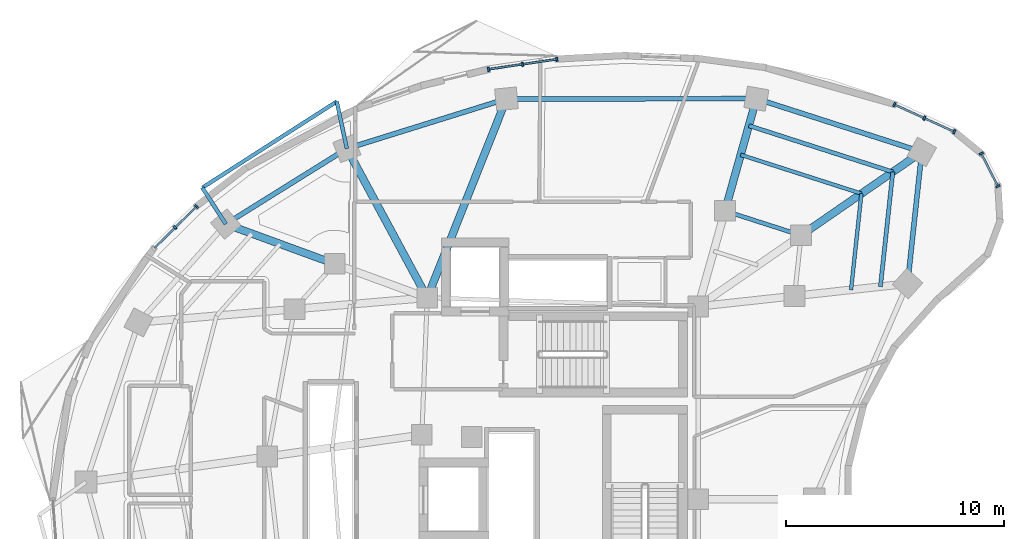
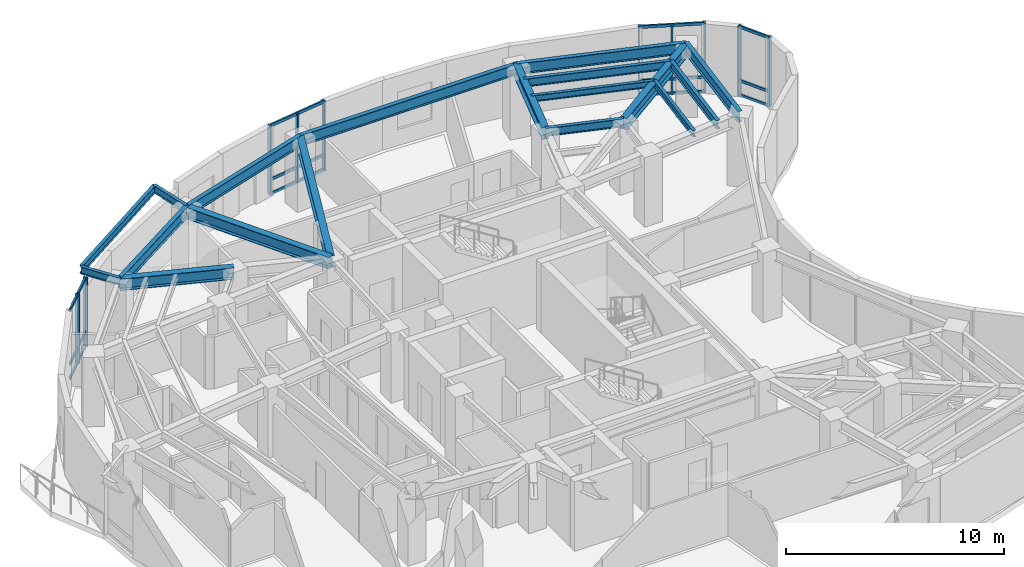
# One storey, part 5 of 13: 31 members, 18 beams, 4 elements without a shape of their own.
"""IFC4 building model written with IfcOpenShell, lengths in metres."""

from ifc_helpers import new_model, si_unit, direction, frame, origin, origin_2d, place, context, subcontext, project, spatial, rectangle, i_section, extrude, material, layer, layer_set, material_profile, profile_set, type_object, element, aggregate, save


model = new_model("IFC4")

# Units and contexts
model_context = context("Model", 3, precision=1e-05, world=origin(), true_north=direction((0.0, 1.0)))
body_context = subcontext(model_context, "Body", "Model", "MODEL_VIEW")
ifc_project = project(units=[si_unit("LENGTHUNIT", "METRE"), si_unit("AREAUNIT", "SQUARE_METRE"), si_unit("VOLUMEUNIT", "CUBIC_METRE"), si_unit("PLANEANGLEUNIT", "RADIAN"), si_unit("MASSUNIT", "GRAM", prefix="KILO")], contexts=[model_context])

# Site, building, storey
site_placement = place(None, origin())
site = spatial("IfcSite", under=ifc_project, at=site_placement, CompositionType="ELEMENT")
building_placement = place(site_placement, origin())
building = spatial("IfcBuilding", under=site, at=building_placement, Name="Korentha Bioscience Tower", CompositionType="ELEMENT")
storey_placement = place(building_placement, frame((0.0, 0.0, 187.800048828125)))
storey = spatial("IfcBuildingStorey", under=building, at=storey_placement, Name="L43", CompositionType="ELEMENT", Elevation=187.800048828125)

# Beam
ifc_material_1 = material(Name="Steel S355", Category="steel")
ifc_material_profile_1 = material_profile(ifc_material_1, i_section(OverallWidth=0.18994140625, OverallDepth=0.45703125, WebThickness=0.009033203125, FlangeThickness=0.014404296875, at=origin_2d()), Name="Steel S355")
ifc_profile_set_1 = profile_set([ifc_material_profile_1], Name="Steel S355 (MB-460)")
beam_type_1 = type_object("IfcBeamType", Name="Mid-Ring Tie Girder W460x74", PredefinedType="BEAM", material=ifc_profile_set_1)
beam_1_placement = place(storey_placement, frame((42.274658203125, 39.1171875, 3.67138671875), z_axis=(-0.952000195343, 0.306097415976, 0.0), x_axis=(-0.306097415976, -0.952000195343, 0.0)))
element("IfcBeam", 1, at=beam_1_placement, inside=storey, type_object=beam_type_1, Name="L43 Mid-Ring Tie Girder 01", PredefinedType="BEAM", context=body_context, shape_type="SweptSolid", body=[
    extrude(i_section(OverallWidth=0.18994140625, OverallDepth=0.45703125, WebThickness=0.009033203125, FlangeThickness=0.014404296875, at=origin_2d()), origin(), (0.0, 0.0, 1.0), 3.672119140625),
])

# Curtain wall, members
ifc_material_2 = material(Name="Thermally Broken Aluminium Frame", Category="aluminium")
ifc_layer = layer(ifc_material_2, 0.219970703125, Name="Thermally Broken Aluminium Frame")
ifc_layer_set = layer_set([ifc_layer], Name="Thermally Broken Aluminium Frame (CW-T1)")
curtain_wall_type = type_object("IfcCurtainWallType", Name="Standard Bioscience Lab Unitised Curtain Wall CW-T1", PredefinedType="USERDEFINED", material=ifc_layer_set)
curtain_wall_1_placement = place(storey_placement, origin())
curtain_wall_1 = element("IfcCurtainWall", 2, at=curtain_wall_1_placement, inside=storey, type_object=curtain_wall_type, Name="L43 Curtain Wall 01", ObjectType="UNITISED", PredefinedType="USERDEFINED")
ifc_material_3 = material(Name="Anodised Aluminium 6063-T6", Category="aluminium")
ifc_material_profile_2 = material_profile(ifc_material_3, rectangle(XDim=0.090087890625, YDim=0.199951171875, at=origin_2d()), Name="Anodised Aluminium 6063-T6")
ifc_profile_set_2 = profile_set([ifc_material_profile_2], Name="Anodised Aluminium 6063-T6 (CW-MUL)")
member_type_1 = type_object("IfcMemberType", Name="Mullion RECT 90x200", PredefinedType="MULLION", material=ifc_profile_set_2)
member_1_placement = place(storey_placement, frame((49.314453125, 43.878173828125, 0.0), z_axis=(0.0, 0.0, 1.0), x_axis=(-0.910644398392, 0.413190972406, 0.0)))
member_1 = element("IfcMember", 3, at=member_1_placement, type_object=member_type_1, Name="CW-L43-01 Mullion 1", PredefinedType="MULLION", context=body_context, shape_type="SweptSolid", body=[
    extrude(rectangle(XDim=0.090087890625, YDim=0.199951171875, at=origin_2d()), origin(), (0.0, 0.0, 1.0), 3.89990234375),
])
member_2_placement = place(storey_placement, frame((47.93701171875, 44.503173828125, 0.0), z_axis=(0.0, 0.0, 1.0), x_axis=(-0.910644398392, 0.413190972406, 0.0)))
member_2 = element("IfcMember", 4, at=member_2_placement, type_object=member_type_1, Name="CW-L43-01 Mullion 2", PredefinedType="MULLION", context=body_context, shape_type="SweptSolid", body=[
    extrude(rectangle(XDim=0.090087890625, YDim=0.199951171875, at=origin_2d()), origin(), (0.0, 0.0, 1.0), 3.89990234375),
])
member_3_placement = place(storey_placement, frame((46.5595703125, 45.128173828125, 0.0), z_axis=(0.0, 0.0, 1.0), x_axis=(-0.910644398392, 0.413190972406, 0.0)))
member_3 = element("IfcMember", 5, at=member_3_placement, type_object=member_type_1, Name="CW-L43-01 Mullion 3", PredefinedType="MULLION", context=body_context, shape_type="SweptSolid", body=[
    extrude(rectangle(XDim=0.090087890625, YDim=0.199951171875, at=origin_2d()), origin(), (0.0, 0.0, 1.0), 3.89990234375),
])

curtain_wall_2_placement = place(storey_placement, origin())
curtain_wall_2 = element("IfcCurtainWall", 6, at=curtain_wall_2_placement, inside=storey, type_object=curtain_wall_type, Name="L43 Curtain Wall 07", ObjectType="UNITISED", PredefinedType="USERDEFINED")
member_4_placement = place(storey_placement, frame((31.056640625, 47.205078125, 0.0), z_axis=(0.0, 0.0, 1.0), x_axis=(-0.989461919888, -0.144793332342, 0.0)))
member_4 = element("IfcMember", 7, at=member_4_placement, type_object=member_type_1, Name="CW-L43-07 Mullion 1", PredefinedType="MULLION", context=body_context, shape_type="SweptSolid", body=[
    extrude(rectangle(XDim=0.090087890625, YDim=0.199951171875, at=origin_2d()), origin(), (0.0, 0.0, 1.0), 3.89990234375),
])
member_5_placement = place(storey_placement, frame((29.485107421875, 46.97509765625, 0.0), z_axis=(0.0, 0.0, 1.0), x_axis=(-0.989461919888, -0.144793332342, 0.0)))
member_5 = element("IfcMember", 8, at=member_5_placement, type_object=member_type_1, Name="CW-L43-07 Mullion 2", PredefinedType="MULLION", context=body_context, shape_type="SweptSolid", body=[
    extrude(rectangle(XDim=0.090087890625, YDim=0.199951171875, at=origin_2d()), origin(), (0.0, 0.0, 1.0), 3.89990234375),
])
member_6_placement = place(storey_placement, frame((27.913330078125, 46.7451171875, 0.0), z_axis=(0.0, 0.0, 1.0), x_axis=(-0.989461919888, -0.144793332342, 0.0)))
member_6 = element("IfcMember", 9, at=member_6_placement, type_object=member_type_1, Name="CW-L43-07 Mullion 3", PredefinedType="MULLION", context=body_context, shape_type="SweptSolid", body=[
    extrude(rectangle(XDim=0.090087890625, YDim=0.199951171875, at=origin_2d()), origin(), (0.0, 0.0, 1.0), 3.89990234375),
])

curtain_wall_3_placement = place(storey_placement, origin())
curtain_wall_3 = element("IfcCurtainWall", 10, at=curtain_wall_3_placement, inside=storey, type_object=curtain_wall_type, Name="L43 Curtain Wall 13", ObjectType="UNITISED", PredefinedType="USERDEFINED")
member_7_placement = place(storey_placement, frame((14.49951171875, 40.44287109375, 0.0), z_axis=(0.0, 0.0, 1.0), x_axis=(-0.711460557971, -0.702726030862, 0.0)))
member_7 = element("IfcMember", 11, at=member_7_placement, type_object=member_type_1, Name="CW-L43-13 Mullion 1", PredefinedType="MULLION", context=body_context, shape_type="SweptSolid", body=[
    extrude(rectangle(XDim=0.090087890625, YDim=0.199951171875, at=origin_2d()), origin(), (0.0, 0.0, 1.0), 3.89990234375),
])
member_8_placement = place(storey_placement, frame((13.517333984375, 39.472900390625, 0.0), z_axis=(0.0, 0.0, 1.0), x_axis=(-0.711460557971, -0.702726030862, 0.0)))
member_8 = element("IfcMember", 12, at=member_8_placement, type_object=member_type_1, Name="CW-L43-13 Mullion 2", PredefinedType="MULLION", context=body_context, shape_type="SweptSolid", body=[
    extrude(rectangle(XDim=0.090087890625, YDim=0.199951171875, at=origin_2d()), origin(), (0.0, 0.0, 1.0), 3.89990234375),
])

curtain_wall_4_placement = place(storey_placement, origin())
curtain_wall_4 = element("IfcCurtainWall", 13, at=curtain_wall_4_placement, inside=storey, type_object=curtain_wall_type, Name="L43 Curtain Wall 61", ObjectType="UNITISED", PredefinedType="USERDEFINED")
member_9_placement = place(storey_placement, frame((51.31884765625, 41.375732421875, 0.0), z_axis=(0.0, 0.0, 1.0), x_axis=(-0.45428845847, 0.890854643868, 0.0)))
member_9 = element("IfcMember", 14, at=member_9_placement, type_object=member_type_1, Name="CW-L43-61 Mullion 1", PredefinedType="MULLION", context=body_context, shape_type="SweptSolid", body=[
    extrude(rectangle(XDim=0.090087890625, YDim=0.199951171875, at=origin_2d()), origin(), (0.0, 0.0, 1.0), 3.89990234375),
])
member_10_placement = place(storey_placement, frame((50.5546875, 42.873779296875, 0.0), z_axis=(0.0, 0.0, 1.0), x_axis=(-0.45428845847, 0.890854643868, 0.0)))
member_10 = element("IfcMember", 15, at=member_10_placement, type_object=member_type_1, Name="CW-L43-61 Mullion 2", PredefinedType="MULLION", context=body_context, shape_type="SweptSolid", body=[
    extrude(rectangle(XDim=0.090087890625, YDim=0.199951171875, at=origin_2d()), origin(), (0.0, 0.0, 1.0), 3.89990234375),
])

# Beams
ifc_material_profile_3 = material_profile(ifc_material_1, i_section(OverallWidth=0.22802734375, OverallDepth=0.60791015625, WebThickness=0.01123046875, FlangeThickness=0.017333984375, at=origin_2d()), Name="Steel S355")
ifc_profile_set_3 = profile_set([ifc_material_profile_3], Name="Steel S355 (SB-610)")
beam_type_2 = type_object("IfcBeamType", Name="Perimeter Ring Spandrel Girder W610x113", PredefinedType="SPANDREL", material=ifc_profile_set_3)
beam_2_placement = place(storey_placement, frame((47.821044921875, 42.95263671875, 3.595947265625), z_axis=(-0.952008512555, 0.306071547228, 0.0), x_axis=(-0.306071547228, -0.952008512555, 0.0)))
element("IfcBeam", 16, at=beam_2_placement, inside=storey, type_object=beam_type_2, Name="L43 Perimeter Spandrel Girder 01", PredefinedType="SPANDREL", context=body_context, shape_type="SweptSolid", body=[
    extrude(i_section(OverallWidth=0.22802734375, OverallDepth=0.60791015625, WebThickness=0.01123046875, FlangeThickness=0.017333984375, at=origin_2d()), origin(), (0.0, 0.0, 1.0), 7.98291015625),
])
beam_3_placement = place(storey_placement, frame((40.22119140625, 45.39599609375, 3.595947265625), z_axis=(-0.99999988041, -0.000489059883, 0.0), x_axis=(0.000489059883, -0.99999988041, 0.0)))
element("IfcBeam", 17, at=beam_3_placement, inside=storey, type_object=beam_type_2, Name="L43 Perimeter Spandrel Girder 02", PredefinedType="SPANDREL", context=body_context, shape_type="SweptSolid", body=[
    extrude(i_section(OverallWidth=0.22802734375, OverallDepth=0.60791015625, WebThickness=0.01123046875, FlangeThickness=0.017333984375, at=origin_2d()), origin(), (0.0, 0.0, 1.0), 11.481689453125),
])
beam_4_placement = place(storey_placement, frame((28.739501953125, 45.390380859375, 3.595947265625), z_axis=(-0.954638172607, -0.29776829818, 0.0), x_axis=(0.29776829818, -0.954638172607, 0.0)))
element("IfcBeam", 18, at=beam_4_placement, inside=storey, type_object=beam_type_2, Name="L43 Perimeter Spandrel Girder 03", PredefinedType="SPANDREL", context=body_context, shape_type="SweptSolid", body=[
    extrude(i_section(OverallWidth=0.22802734375, OverallDepth=0.60791015625, WebThickness=0.01123046875, FlangeThickness=0.017333984375, at=origin_2d()), origin(), (0.0, 0.0, 1.0), 7.682373046875),
])
beam_5_placement = place(storey_placement, frame((21.405517578125, 43.102783203125, 3.595947265625), z_axis=(-0.848675740059, -0.528913497876, 0.0), x_axis=(0.528913497876, -0.848675740059, 0.0)))
element("IfcBeam", 19, at=beam_5_placement, inside=storey, type_object=beam_type_2, Name="L43 Perimeter Spandrel Girder 04", PredefinedType="SPANDREL", context=body_context, shape_type="SweptSolid", body=[
    extrude(i_section(OverallWidth=0.22802734375, OverallDepth=0.60791015625, WebThickness=0.01123046875, FlangeThickness=0.017333984375, at=origin_2d()), origin(), (0.0, 0.0, 1.0), 6.55322265625),
])
beam_6_placement = place(storey_placement, frame((47.16748046875, 36.89794921875, 3.595947265625), z_axis=(0.10732012232, 0.994224517574, 0.0), x_axis=(-0.994224517574, 0.10732012232, 0.0)))
element("IfcBeam", 20, at=beam_6_placement, inside=storey, type_object=beam_type_2, Name="L43 Perimeter Spandrel Girder 16", PredefinedType="SPANDREL", context=body_context, shape_type="SweptSolid", body=[
    extrude(i_section(OverallWidth=0.22802734375, OverallDepth=0.60791015625, WebThickness=0.01123046875, FlangeThickness=0.017333984375, at=origin_2d()), origin(), (0.0, 0.0, 1.0), 6.08984375),
])
ifc_material_profile_4 = material_profile(ifc_material_1, i_section(OverallWidth=0.18994140625, OverallDepth=0.45703125, WebThickness=0.009033203125, FlangeThickness=0.014404296875, at=origin_2d()), Name="Steel S355")
ifc_profile_set_4 = profile_set([ifc_material_profile_4], Name="Steel S355 (RB-460)")
beam_type_3 = type_object("IfcBeamType", Name="Radial Laboratory Beam W460x74", PredefinedType="BEAM", material=ifc_profile_set_4)
beam_7_placement = place(storey_placement, frame((46.489990234375, 42.031982421875, 3.67138671875), z_axis=(-0.952009183817, 0.306069459318, 0.0), x_axis=(-0.306069459318, -0.952009183817, 0.0)))
element("IfcBeam", 21, at=beam_7_placement, inside=storey, type_object=beam_type_3, Name="L43 Secondary Floor Beam JSTO-01", PredefinedType="BEAM", context=body_context, shape_type="SweptSolid", body=[
    extrude(i_section(OverallWidth=0.18994140625, OverallDepth=0.45703125, WebThickness=0.009033203125, FlangeThickness=0.014404296875, at=origin_2d()), origin(), (0.0, 0.0, 1.0), 6.948486328125),
])
beam_8_placement = place(storey_placement, frame((45.921142578125, 36.76220703125, 3.67138671875), z_axis=(0.107321875607, 0.994224328316, 0.0), x_axis=(-0.994224328316, 0.107321875607, 0.0)))
element("IfcBeam", 22, at=beam_8_placement, inside=storey, type_object=beam_type_3, Name="L43 Secondary Floor Beam JSTO-16", PredefinedType="BEAM", context=body_context, shape_type="SweptSolid", body=[
    extrude(i_section(OverallWidth=0.18994140625, OverallDepth=0.45703125, WebThickness=0.009033203125, FlangeThickness=0.014404296875, at=origin_2d()), origin(), (0.0, 0.0, 1.0), 5.30029296875),
])
ifc_material_profile_5 = material_profile(ifc_material_1, i_section(OverallWidth=0.35009765625, OverallDepth=0.64990234375, WebThickness=0.01611328125, FlangeThickness=0.02490234375, at=origin_2d()), Name="Steel S355")
ifc_profile_set_5 = profile_set([ifc_material_profile_5], Name="Steel S355 (RB-650)")
beam_type_4 = type_object("IfcBeamType", Name="Radial Laboratory Girder CVS 650x208", PredefinedType="BEAM", material=ifc_profile_set_5)
beam_9_placement = place(storey_placement, frame((42.274658203125, 39.1171875, 3.574951171875), z_axis=(0.822494455845, 0.568773127094, 0.0), x_axis=(-0.568773127094, 0.822494455845, 0.0)))
element("IfcBeam", 23, at=beam_9_placement, inside=storey, type_object=beam_type_4, Name="L43 Outer Radial Girder 01", PredefinedType="BEAM", context=body_context, shape_type="SweptSolid", body=[
    extrude(i_section(OverallWidth=0.35009765625, OverallDepth=0.64990234375, WebThickness=0.01611328125, FlangeThickness=0.02490234375, at=origin_2d()), origin(), (0.0, 0.0, 1.0), 6.743408203125),
])
beam_10_placement = place(storey_placement, frame((38.77880859375, 40.2412109375, 3.574951171875), z_axis=(0.269464128344, 0.963010427532, 0.0), x_axis=(-0.963010427532, 0.269464128344, 0.0)))
element("IfcBeam", 24, at=beam_10_placement, inside=storey, type_object=beam_type_4, Name="L43 Outer Radial Girder 02", PredefinedType="BEAM", context=body_context, shape_type="SweptSolid", body=[
    extrude(i_section(OverallWidth=0.35009765625, OverallDepth=0.64990234375, WebThickness=0.01611328125, FlangeThickness=0.02490234375, at=origin_2d()), origin(), (0.0, 0.0, 1.0), 5.352783203125),
])
beam_11_placement = place(storey_placement, frame((25.10009765625, 36.25, 3.574951171875), z_axis=(0.369922682955, 0.929062542909, 0.0), x_axis=(-0.929062542909, 0.369922682955, 0.0)))
element("IfcBeam", 25, at=beam_11_placement, inside=storey, type_object=beam_type_4, Name="L43 Radial Girder 03", PredefinedType="BEAM", context=body_context, shape_type="SweptSolid", body=[
    extrude(i_section(OverallWidth=0.35009765625, OverallDepth=0.64990234375, WebThickness=0.01611328125, FlangeThickness=0.02490234375, at=origin_2d()), origin(), (0.0, 0.0, 1.0), 9.83837890625),
])
beam_12_placement = place(storey_placement, frame((25.10009765625, 36.25, 3.574951171875), z_axis=(-0.474559790141, 0.880223270302, 0.0), x_axis=(-0.880223270302, -0.474559790141, 0.0)))
element("IfcBeam", 26, at=beam_12_placement, inside=storey, type_object=beam_type_4, Name="L43 Radial Girder 04", PredefinedType="BEAM", context=body_context, shape_type="SweptSolid", body=[
    extrude(i_section(OverallWidth=0.35009765625, OverallDepth=0.64990234375, WebThickness=0.01611328125, FlangeThickness=0.02490234375, at=origin_2d()), origin(), (0.0, 0.0, 1.0), 7.785400390625),
])
beam_13_placement = place(storey_placement, frame((20.84228515625, 37.807861328125, 3.574951171875), z_axis=(-0.939109855566, 0.343617053097, 0.0), x_axis=(-0.343617053097, -0.939109855566, 0.0)))
element("IfcBeam", 27, at=beam_13_placement, inside=storey, type_object=beam_type_4, Name="L43 Outer Radial Girder 05", PredefinedType="BEAM", context=body_context, shape_type="SweptSolid", body=[
    extrude(i_section(OverallWidth=0.35009765625, OverallDepth=0.64990234375, WebThickness=0.01611328125, FlangeThickness=0.02490234375, at=origin_2d()), origin(), (0.0, 0.0, 1.0), 5.322265625),
])
ifc_material_profile_6 = material_profile(ifc_material_1, i_section(OverallWidth=0.1708984375, OverallDepth=0.35498046875, WebThickness=0.007080078125, FlangeThickness=0.01171875, at=origin_2d()), Name="Steel S355")
ifc_profile_set_6 = profile_set([ifc_material_profile_6], Name="Steel S355 (JB-360)")
beam_type_5 = type_object("IfcBeamType", Name="Secondary Laboratory Joist W360x51", PredefinedType="JOIST", material=ifc_profile_set_6)
beam_14_placement = place(storey_placement, frame((45.0478515625, 41.034912109375, 3.722412109375), z_axis=(-0.952005892166, 0.306079697596, 0.0), x_axis=(-0.306079697596, -0.952005892166, 0.0)))
element("IfcBeam", 28, at=beam_14_placement, inside=storey, type_object=beam_type_5, Name="L43 Secondary Floor Beam JST-01", PredefinedType="JOIST", context=body_context, shape_type="SweptSolid", body=[
    extrude(i_section(OverallWidth=0.1708984375, OverallDepth=0.35498046875, WebThickness=0.007080078125, FlangeThickness=0.01171875, at=origin_2d()), origin(), (0.0, 0.0, 1.0), 5.82763671875),
])
beam_15_placement = place(storey_placement, frame((44.57080078125, 36.614990234375, 3.722412109375), z_axis=(0.107308722475, 0.994225748048, 0.0), x_axis=(-0.994225748048, 0.107308722475, 0.0)))
element("IfcBeam", 29, at=beam_15_placement, inside=storey, type_object=beam_type_5, Name="L43 Secondary Floor Beam JST-16", PredefinedType="JOIST", context=body_context, shape_type="SweptSolid", body=[
    extrude(i_section(OverallWidth=0.1708984375, OverallDepth=0.35498046875, WebThickness=0.007080078125, FlangeThickness=0.01171875, at=origin_2d()), origin(), (0.0, 0.0, 1.0), 4.445556640625),
])
ifc_material_profile_7 = material_profile(ifc_material_1, i_section(OverallWidth=0.177978515625, OverallDepth=0.406982421875, WebThickness=0.0078125, FlangeThickness=0.0126953125, at=origin_2d()), Name="Steel S355")
ifc_profile_set_7 = profile_set([ifc_material_profile_7], Name="Steel S355 (CB-410)")
beam_type_6 = type_object("IfcBeamType", Name="Sun-Ledge Cantilever Beam W410x60", PredefinedType="BEAM", material=ifc_profile_set_7)
beam_16_placement = place(storey_placement, frame((21.405517578125, 43.102783203125, 3.698486328125), z_axis=(-0.208812997675, 0.97795558795, 0.0), x_axis=(-0.97795558795, -0.208812997675, 0.0)))
element("IfcBeam", 30, at=beam_16_placement, inside=storey, type_object=beam_type_6, Name="L43 Balcony Cantilever Bracket A-L44-01", PredefinedType="BEAM", context=body_context, shape_type="SweptSolid", body=[
    extrude(i_section(OverallWidth=0.177978515625, OverallDepth=0.406982421875, WebThickness=0.0078125, FlangeThickness=0.0126953125, at=origin_2d()), origin(), (0.0, 0.0, 1.0), 2.212158203125),
])
beam_17_placement = place(storey_placement, frame((15.843994140625, 39.63671875, 3.698486328125), z_axis=(-0.541651192017, 0.840603346523, 0.0), x_axis=(-0.840603346523, -0.541651192017, 0.0)))
element("IfcBeam", 31, at=beam_17_placement, inside=storey, type_object=beam_type_6, Name="L43 Balcony Cantilever Bracket B-L44-01", PredefinedType="BEAM", context=body_context, shape_type="SweptSolid", body=[
    extrude(i_section(OverallWidth=0.177978515625, OverallDepth=0.406982421875, WebThickness=0.0078125, FlangeThickness=0.0126953125, at=origin_2d()), origin(), (0.0, 0.0, 1.0), 1.98779296875),
])
beam_18_placement = place(storey_placement, frame((20.943603515625, 45.26611328125, 3.698486328125), z_axis=(-0.841919457307, -0.539603212933, 0.0), x_axis=(0.539603212933, -0.841919457307, 0.0)))
element("IfcBeam", 32, at=beam_18_placement, inside=storey, type_object=beam_type_6, Name="L43 Balcony Edge Trimmer Beam L44-01", PredefinedType="BEAM", context=body_context, shape_type="SweptSolid", body=[
    extrude(i_section(OverallWidth=0.177978515625, OverallDepth=0.406982421875, WebThickness=0.0078125, FlangeThickness=0.0126953125, at=origin_2d()), origin(), (0.0, 0.0, 1.0), 7.3359375),
])

# Member
ifc_material_profile_8 = material_profile(ifc_material_3, rectangle(XDim=0.090087890625, YDim=0.159912109375, at=origin_2d()), Name="Anodised Aluminium 6063-T6")
ifc_profile_set_8 = profile_set([ifc_material_profile_8], Name="Anodised Aluminium 6063-T6 (CW-TRN)")
member_type_2 = type_object("IfcMemberType", Name="Transom RECT 90x160", PredefinedType="USERDEFINED", material=ifc_profile_set_8)
member_11_placement = place(storey_placement, frame((49.2734375, 43.896728515625, 0.044921875), z_axis=(-0.910613165474, 0.41325980069, 0.0), x_axis=(-0.41325980069, -0.910613165474, 0.0)))
member_11 = element("IfcMember", 33, at=member_11_placement, type_object=member_type_2, Name="CW-L43-01 Bay 1 Transom 1", ObjectType="TRANSOM", PredefinedType="USERDEFINED", context=body_context, shape_type="SweptSolid", body=[
    extrude(rectangle(XDim=0.090087890625, YDim=0.159912109375, at=origin_2d()), origin(), (0.0, 0.0, 1.0), 1.422607421875),
])

member_12_placement = place(storey_placement, frame((49.2734375, 43.896728515625, 0.849853515625), z_axis=(-0.910613165474, 0.41325980069, 0.0), x_axis=(-0.41325980069, -0.910613165474, 0.0)))
member_12 = element("IfcMember", 34, at=member_12_placement, type_object=member_type_2, Name="CW-L43-01 Bay 1 Transom 2", ObjectType="TRANSOM", PredefinedType="USERDEFINED", context=body_context, shape_type="SweptSolid", body=[
    extrude(rectangle(XDim=0.090087890625, YDim=0.159912109375, at=origin_2d()), origin(), (0.0, 0.0, 1.0), 1.422607421875),
])

member_13_placement = place(storey_placement, frame((49.2734375, 43.896728515625, 3.85498046875), z_axis=(-0.910613165474, 0.41325980069, 0.0), x_axis=(-0.41325980069, -0.910613165474, 0.0)))
member_13 = element("IfcMember", 35, at=member_13_placement, type_object=member_type_2, Name="CW-L43-01 Bay 1 Transom 3", ObjectType="TRANSOM", PredefinedType="USERDEFINED", context=body_context, shape_type="SweptSolid", body=[
    extrude(rectangle(XDim=0.090087890625, YDim=0.159912109375, at=origin_2d()), origin(), (0.0, 0.0, 1.0), 1.422607421875),
])

member_14_placement = place(storey_placement, frame((47.89599609375, 44.521728515625, 0.044921875), z_axis=(-0.910613165474, 0.41325980069, 0.0), x_axis=(-0.41325980069, -0.910613165474, 0.0)))
member_14 = element("IfcMember", 36, at=member_14_placement, type_object=member_type_2, Name="CW-L43-01 Bay 2 Transom 1", ObjectType="TRANSOM", PredefinedType="USERDEFINED", context=body_context, shape_type="SweptSolid", body=[
    extrude(rectangle(XDim=0.090087890625, YDim=0.159912109375, at=origin_2d()), origin(), (0.0, 0.0, 1.0), 1.422607421875),
])

member_15_placement = place(storey_placement, frame((47.89599609375, 44.521728515625, 0.849853515625), z_axis=(-0.910613165474, 0.41325980069, 0.0), x_axis=(-0.41325980069, -0.910613165474, 0.0)))
member_15 = element("IfcMember", 37, at=member_15_placement, type_object=member_type_2, Name="CW-L43-01 Bay 2 Transom 2", ObjectType="TRANSOM", PredefinedType="USERDEFINED", context=body_context, shape_type="SweptSolid", body=[
    extrude(rectangle(XDim=0.090087890625, YDim=0.159912109375, at=origin_2d()), origin(), (0.0, 0.0, 1.0), 1.422607421875),
])

member_16_placement = place(storey_placement, frame((47.89599609375, 44.521728515625, 3.85498046875), z_axis=(-0.910613165474, 0.41325980069, 0.0), x_axis=(-0.41325980069, -0.910613165474, 0.0)))
member_16 = element("IfcMember", 38, at=member_16_placement, type_object=member_type_2, Name="CW-L43-01 Bay 2 Transom 3", ObjectType="TRANSOM", PredefinedType="USERDEFINED", context=body_context, shape_type="SweptSolid", body=[
    extrude(rectangle(XDim=0.090087890625, YDim=0.159912109375, at=origin_2d()), origin(), (0.0, 0.0, 1.0), 1.422607421875),
])

aggregate(curtain_wall_1, [member_1, member_2, member_3, member_11, member_12, member_13, member_14, member_15, member_16])

member_17_placement = place(storey_placement, frame((31.01220703125, 47.198486328125, 0.044921875), z_axis=(-0.989478137929, -0.144682461136, 0.0), x_axis=(0.144682461136, -0.989478137929, 0.0)))
member_17 = element("IfcMember", 39, at=member_17_placement, type_object=member_type_2, Name="CW-L43-07 Bay 1 Transom 1", ObjectType="TRANSOM", PredefinedType="USERDEFINED", context=body_context, shape_type="SweptSolid", body=[
    extrude(rectangle(XDim=0.090087890625, YDim=0.159912109375, at=origin_2d()), origin(), (0.0, 0.0, 1.0), 1.49853515625),
])

member_18_placement = place(storey_placement, frame((31.01220703125, 47.198486328125, 0.849853515625), z_axis=(-0.989478137929, -0.144682461136, 0.0), x_axis=(0.144682461136, -0.989478137929, 0.0)))
member_18 = element("IfcMember", 40, at=member_18_placement, type_object=member_type_2, Name="CW-L43-07 Bay 1 Transom 2", ObjectType="TRANSOM", PredefinedType="USERDEFINED", context=body_context, shape_type="SweptSolid", body=[
    extrude(rectangle(XDim=0.090087890625, YDim=0.159912109375, at=origin_2d()), origin(), (0.0, 0.0, 1.0), 1.49853515625),
])

member_19_placement = place(storey_placement, frame((31.01220703125, 47.198486328125, 3.85498046875), z_axis=(-0.989478137929, -0.144682461136, 0.0), x_axis=(0.144682461136, -0.989478137929, 0.0)))
member_19 = element("IfcMember", 41, at=member_19_placement, type_object=member_type_2, Name="CW-L43-07 Bay 1 Transom 3", ObjectType="TRANSOM", PredefinedType="USERDEFINED", context=body_context, shape_type="SweptSolid", body=[
    extrude(rectangle(XDim=0.090087890625, YDim=0.159912109375, at=origin_2d()), origin(), (0.0, 0.0, 1.0), 1.49853515625),
])

member_20_placement = place(storey_placement, frame((29.4404296875, 46.968505859375, 0.044921875), z_axis=(-0.989474726473, -0.144705790038, 0.0), x_axis=(0.144705790038, -0.989474726473, 0.0)))
member_20 = element("IfcMember", 42, at=member_20_placement, type_object=member_type_2, Name="CW-L43-07 Bay 2 Transom 1", ObjectType="TRANSOM", PredefinedType="USERDEFINED", context=body_context, shape_type="SweptSolid", body=[
    extrude(rectangle(XDim=0.090087890625, YDim=0.159912109375, at=origin_2d()), origin(), (0.0, 0.0, 1.0), 1.498291015625),
])

member_21_placement = place(storey_placement, frame((29.4404296875, 46.968505859375, 0.849853515625), z_axis=(-0.989474726473, -0.144705790038, 0.0), x_axis=(0.144705790038, -0.989474726473, 0.0)))
member_21 = element("IfcMember", 43, at=member_21_placement, type_object=member_type_2, Name="CW-L43-07 Bay 2 Transom 2", ObjectType="TRANSOM", PredefinedType="USERDEFINED", context=body_context, shape_type="SweptSolid", body=[
    extrude(rectangle(XDim=0.090087890625, YDim=0.159912109375, at=origin_2d()), origin(), (0.0, 0.0, 1.0), 1.498291015625),
])

member_22_placement = place(storey_placement, frame((29.4404296875, 46.968505859375, 3.85498046875), z_axis=(-0.989474726473, -0.144705790038, 0.0), x_axis=(0.144705790038, -0.989474726473, 0.0)))
member_22 = element("IfcMember", 44, at=member_22_placement, type_object=member_type_2, Name="CW-L43-07 Bay 2 Transom 3", ObjectType="TRANSOM", PredefinedType="USERDEFINED", context=body_context, shape_type="SweptSolid", body=[
    extrude(rectangle(XDim=0.090087890625, YDim=0.159912109375, at=origin_2d()), origin(), (0.0, 0.0, 1.0), 1.498291015625),
])

aggregate(curtain_wall_2, [member_4, member_5, member_6, member_17, member_18, member_19, member_20, member_21, member_22])

member_23_placement = place(storey_placement, frame((14.46728515625, 40.4111328125, 0.044921875), z_axis=(-0.711445315109, -0.70274146285, 0.0), x_axis=(0.70274146285, -0.711445315109, 0.0)))
member_23 = element("IfcMember", 45, at=member_23_placement, type_object=member_type_2, Name="CW-L43-13 Bay 1 Transom 1", ObjectType="TRANSOM", PredefinedType="USERDEFINED", context=body_context, shape_type="SweptSolid", body=[
    extrude(rectangle(XDim=0.090087890625, YDim=0.159912109375, at=origin_2d()), origin(), (0.0, 0.0, 1.0), 1.290283203125),
])

member_24_placement = place(storey_placement, frame((14.46728515625, 40.4111328125, 0.849853515625), z_axis=(-0.711445315109, -0.70274146285, 0.0), x_axis=(0.70274146285, -0.711445315109, 0.0)))
member_24 = element("IfcMember", 46, at=member_24_placement, type_object=member_type_2, Name="CW-L43-13 Bay 1 Transom 2", ObjectType="TRANSOM", PredefinedType="USERDEFINED", context=body_context, shape_type="SweptSolid", body=[
    extrude(rectangle(XDim=0.090087890625, YDim=0.159912109375, at=origin_2d()), origin(), (0.0, 0.0, 1.0), 1.290283203125),
])

member_25_placement = place(storey_placement, frame((14.46728515625, 40.4111328125, 3.85498046875), z_axis=(-0.711445315109, -0.70274146285, 0.0), x_axis=(0.70274146285, -0.711445315109, 0.0)))
member_25 = element("IfcMember", 47, at=member_25_placement, type_object=member_type_2, Name="CW-L43-13 Bay 1 Transom 3", ObjectType="TRANSOM", PredefinedType="USERDEFINED", context=body_context, shape_type="SweptSolid", body=[
    extrude(rectangle(XDim=0.090087890625, YDim=0.159912109375, at=origin_2d()), origin(), (0.0, 0.0, 1.0), 1.290283203125),
])

member_26_placement = place(storey_placement, frame((13.4853515625, 39.441162109375, 0.044921875), z_axis=(-0.711444158079, -0.70274263421, 0.0), x_axis=(0.70274263421, -0.711444158079, 0.0)))
member_26 = element("IfcMember", 48, at=member_26_placement, type_object=member_type_2, Name="CW-L43-13 Bay 2 Transom 1", ObjectType="TRANSOM", PredefinedType="USERDEFINED", context=body_context, shape_type="SweptSolid", body=[
    extrude(rectangle(XDim=0.090087890625, YDim=0.159912109375, at=origin_2d()), origin(), (0.0, 0.0, 1.0), 1.29052734375),
])

member_27_placement = place(storey_placement, frame((13.4853515625, 39.441162109375, 0.849853515625), z_axis=(-0.711444158079, -0.70274263421, 0.0), x_axis=(0.70274263421, -0.711444158079, 0.0)))
member_27 = element("IfcMember", 49, at=member_27_placement, type_object=member_type_2, Name="CW-L43-13 Bay 2 Transom 2", ObjectType="TRANSOM", PredefinedType="USERDEFINED", context=body_context, shape_type="SweptSolid", body=[
    extrude(rectangle(XDim=0.090087890625, YDim=0.159912109375, at=origin_2d()), origin(), (0.0, 0.0, 1.0), 1.29052734375),
])

member_28_placement = place(storey_placement, frame((13.4853515625, 39.441162109375, 3.85498046875), z_axis=(-0.711444158079, -0.70274263421, 0.0), x_axis=(0.70274263421, -0.711444158079, 0.0)))
member_28 = element("IfcMember", 50, at=member_28_placement, type_object=member_type_2, Name="CW-L43-13 Bay 2 Transom 3", ObjectType="TRANSOM", PredefinedType="USERDEFINED", context=body_context, shape_type="SweptSolid", body=[
    extrude(rectangle(XDim=0.090087890625, YDim=0.159912109375, at=origin_2d()), origin(), (0.0, 0.0, 1.0), 1.29052734375),
])

aggregate(curtain_wall_3, [member_7, member_8, member_23, member_24, member_25, member_26, member_27, member_28])

member_29_placement = place(storey_placement, frame((51.29833984375, 41.415771484375, 0.044921875), z_axis=(-0.454316345026, 0.890840422658, 0.0), x_axis=(-0.890840422658, -0.454316345026, 0.0)))
member_29 = element("IfcMember", 51, at=member_29_placement, type_object=member_type_2, Name="CW-L43-61 Bay 1 Transom 1", ObjectType="TRANSOM", PredefinedType="USERDEFINED", context=body_context, shape_type="SweptSolid", body=[
    extrude(rectangle(XDim=0.090087890625, YDim=0.159912109375, at=origin_2d()), origin(), (0.0, 0.0, 1.0), 1.591796875),
])

member_30_placement = place(storey_placement, frame((51.29833984375, 41.415771484375, 0.849853515625), z_axis=(-0.454316345026, 0.890840422658, 0.0), x_axis=(-0.890840422658, -0.454316345026, 0.0)))
member_30 = element("IfcMember", 52, at=member_30_placement, type_object=member_type_2, Name="CW-L43-61 Bay 1 Transom 2", ObjectType="TRANSOM", PredefinedType="USERDEFINED", context=body_context, shape_type="SweptSolid", body=[
    extrude(rectangle(XDim=0.090087890625, YDim=0.159912109375, at=origin_2d()), origin(), (0.0, 0.0, 1.0), 1.591796875),
])

member_31_placement = place(storey_placement, frame((51.29833984375, 41.415771484375, 3.85498046875), z_axis=(-0.454316345026, 0.890840422658, 0.0), x_axis=(-0.890840422658, -0.454316345026, 0.0)))
member_31 = element("IfcMember", 53, at=member_31_placement, type_object=member_type_2, Name="CW-L43-61 Bay 1 Transom 3", ObjectType="TRANSOM", PredefinedType="USERDEFINED", context=body_context, shape_type="SweptSolid", body=[
    extrude(rectangle(XDim=0.090087890625, YDim=0.159912109375, at=origin_2d()), origin(), (0.0, 0.0, 1.0), 1.591796875),
])

aggregate(curtain_wall_4, [member_9, member_10, member_29, member_30, member_31])

save(model, "model.ifc")
